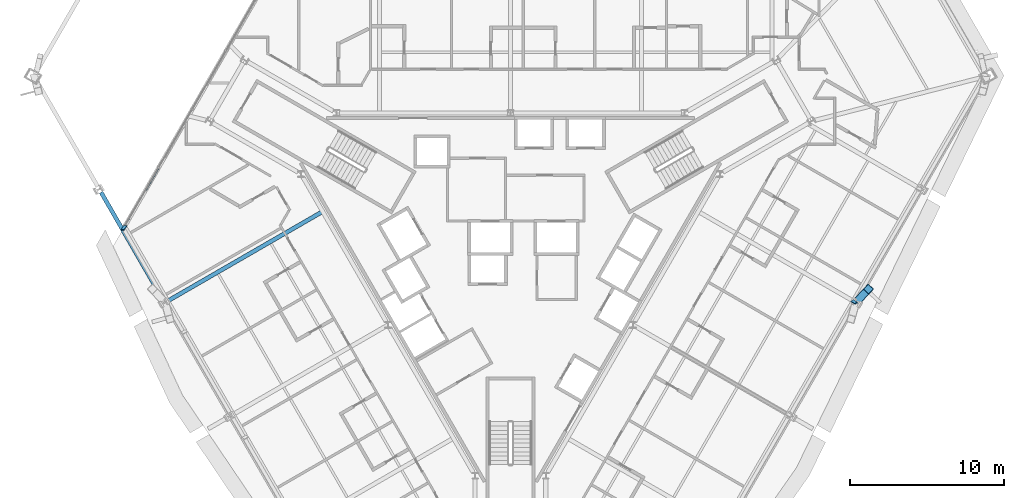
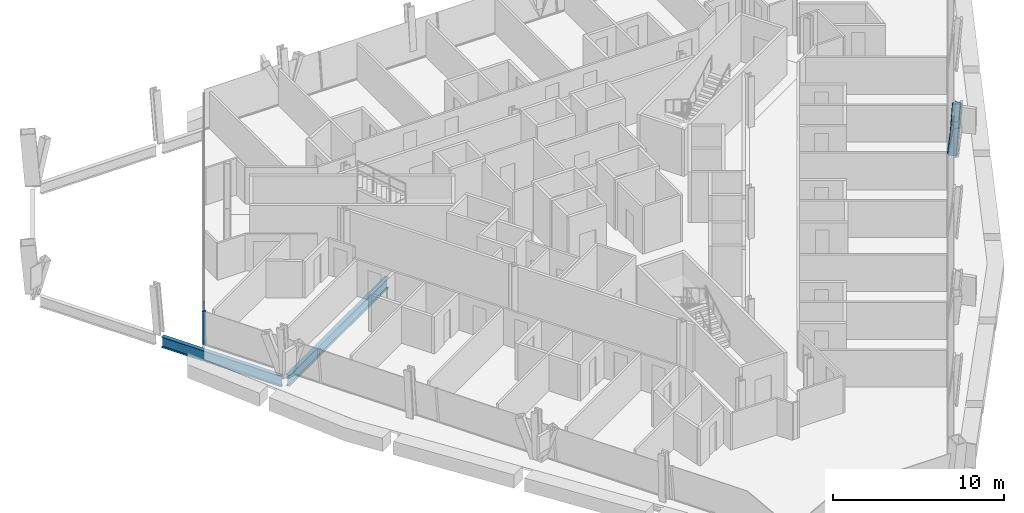
# One storey, part 4 of 17: 4 members, 2 beams, 3 elements without a shape of their own.
"""IFC4 building model written with IfcOpenShell, lengths in metres."""

from ifc_helpers import new_model, si_unit, direction, frame, origin, origin_2d, place, context, subcontext, project, spatial, rectangle, hollow_rectangle, i_section, extrude, material, material_profile, profile_set, type_object, element, aggregate, save


model = new_model("IFC4")

# Units and contexts
model_context = context("Model", 3, precision=1e-05, world=origin(), true_north=direction((0.0, 1.0)))
body_context = subcontext(model_context, "Body", "Model", "MODEL_VIEW")
ifc_project = project(units=[si_unit("LENGTHUNIT", "METRE"), si_unit("AREAUNIT", "SQUARE_METRE"), si_unit("VOLUMEUNIT", "CUBIC_METRE"), si_unit("PLANEANGLEUNIT", "RADIAN"), si_unit("MASSUNIT", "GRAM", prefix="KILO")], contexts=[model_context])

# Site, building, storey
site_placement = place(None, origin())
site = spatial("IfcSite", under=ifc_project, at=site_placement, CompositionType="ELEMENT")
building_placement = place(site_placement, origin())
building = spatial("IfcBuilding", under=site, at=building_placement, Name="Verrane Prism Tower", CompositionType="ELEMENT")
storey_placement = place(building_placement, frame((0.0, 0.0, 62.0)))
storey = spatial("IfcBuildingStorey", under=building, at=storey_placement, Name="L13", CompositionType="ELEMENT", Elevation=62.0)

# Member
ifc_material_1 = material(Name="Steel A1085 Grade A", Category="steel")
ifc_material_profile_1 = material_profile(ifc_material_1, hollow_rectangle(XDim=0.508056640625, YDim=0.508056640625, WallThickness=0.025390625, InnerFilletRadius=0.0126953125, OuterFilletRadius=0.0380859375, at=origin_2d()), Name="HSS20x20x1")
ifc_profile_set_1 = profile_set([ifc_material_profile_1], Name="Steel A1085 Grade A")
member_type_1 = type_object("IfcMemberType", Name="Facade brace HSS20x20x1", PredefinedType="BRACE", material=ifc_profile_set_1)
member_1_placement = place(storey_placement, frame((22.56982421875, -3.055908203125, -0.197509765625), z_axis=(0.232509102274, 0.248391929987, 0.940340877808), x_axis=(-0.730062490855, 0.683380391471, 0.0)))
element("IfcMember", 1, at=member_1_placement, inside=storey, type_object=member_type_1, Name="Facade brace SE4 L13", PredefinedType="BRACE", context=body_context, shape_type="SweptSolid", body=[
    extrude(hollow_rectangle(XDim=0.508056640625, YDim=0.508056640625, WallThickness=0.025390625, InnerFilletRadius=0.0126953125, OuterFilletRadius=0.0380859375, at=origin_2d()), origin(), (0.0, 0.0, 1.0), 3.151123046875),
])

# Curtain wall, member
ifc_material_2 = material(Name="Aluminium framed insulated glazing", Category="aluminium")
curtain_wall_type_1 = type_object("IfcCurtainWallType", Name="Curtain wall CW-A 8400 module", PredefinedType="NOTDEFINED", material=ifc_material_2)
curtain_wall_1_placement = place(storey_placement, origin())
curtain_wall_1 = element("IfcCurtainWall", 2, at=curtain_wall_1_placement, inside=storey, type_object=curtain_wall_type_1, Name="Glazed curtain wall south-west face L13", PredefinedType="NOTDEFINED")
ifc_material_3 = material(Name="Aluminium alloy 6063-T6", Category="aluminium")
ifc_material_profile_2 = material_profile(ifc_material_3, rectangle(XDim=0.199951171875, YDim=0.070068359375, at=origin_2d()), Name="Mullion 70x200 aluminium")
ifc_profile_set_2 = profile_set([ifc_material_profile_2], Name="Aluminium alloy 6063-T6")
member_type_2 = type_object("IfcMemberType", Name="Mullion 70x200 aluminium", PredefinedType="MULLION", material=ifc_profile_set_2)
member_2_placement = place(storey_placement, frame((-25.069091796875, 1.839111328125, 0.0), z_axis=(-0.072493493581, -0.102343755643, 0.992104051534), x_axis=(0.993424568406, -0.095787496883, 0.062708710142)))
member_2 = element("IfcMember", 3, at=member_2_placement, type_object=member_type_2, Name="CW12.4 mullion 1", PredefinedType="MULLION", context=body_context, shape_type="SweptSolid", body=[
    extrude(rectangle(XDim=0.199951171875, YDim=0.070068359375, at=origin_2d()), origin(), (0.0, 0.0, 1.0), 2.633544921875),
])
aggregate(curtain_wall_1, [member_2])

curtain_wall_2_placement = place(storey_placement, origin())
curtain_wall_2 = element("IfcCurtainWall", 4, at=curtain_wall_2_placement, inside=storey, type_object=curtain_wall_type_1, Name="Glazed curtain wall south-east face L13", PredefinedType="NOTDEFINED")
member_3_placement = place(storey_placement, frame((22.25146484375, -3.04150390625, 0.0), z_axis=(0.098772084644, -0.056998176665, 0.993476362654), x_axis=(-0.863093944803, -0.501814377816, 0.057019055251)))
member_3 = element("IfcMember", 5, at=member_3_placement, type_object=member_type_2, Name="CW12.6 mullion 5", PredefinedType="MULLION", context=body_context, shape_type="SweptSolid", body=[
    extrude(rectangle(XDim=0.199951171875, YDim=0.070068359375, at=origin_2d()), origin(), (0.0, 0.0, 1.0), 2.6298828125),
])
aggregate(curtain_wall_2, [member_3])

# Beams
ifc_material_4 = material(Name="Steel A992", Category="steel")
ifc_material_profile_3 = material_profile(ifc_material_4, i_section(OverallWidth=0.2666015625, OverallDepth=0.76708984375, WebThickness=0.014892578125, FlangeThickness=0.023681640625, FilletRadius=0.0166015625, at=origin_2d()), Name="W30x124")
ifc_profile_set_3 = profile_set([ifc_material_profile_3], Name="Steel A992")
beam_type_1 = type_object("IfcBeamType", Name="Radial girder W30x124", PredefinedType="BEAM", material=ifc_profile_set_3)
beam_1_placement = place(storey_placement, frame((-22.280029296875, -3.02734375, -0.603515625), z_axis=(0.866023488761, 0.500003316903, 0.0), x_axis=(-0.500003316903, 0.866023488761, 0.0)))
element("IfcBeam", 6, at=beam_1_placement, inside=storey, type_object=beam_type_1, Name="Radial girder L13", PredefinedType="BEAM", context=body_context, shape_type="SweptSolid", body=[
    extrude(i_section(OverallWidth=0.2666015625, OverallDepth=0.76708984375, WebThickness=0.014892578125, FlangeThickness=0.023681640625, FilletRadius=0.0166015625, at=origin_2d()), origin(), (0.0, 0.0, 1.0), 11.61279296875),
])
ifc_material_5 = material(Name="Steel A992", Category="steel")
ifc_material_profile_4 = material_profile(ifc_material_5, i_section(OverallWidth=0.2666015625, OverallDepth=0.7568359375, WebThickness=0.013916015625, FlangeThickness=0.019287109375, FilletRadius=0.0166015625, at=origin_2d()), Name="W30x108")
ifc_profile_set_4 = profile_set([ifc_material_profile_4], Name="Steel A992")
beam_type_2 = type_object("IfcBeamType", Name="Spandrel beam W30x108", PredefinedType="SPANDREL", material=ifc_profile_set_4)
beam_2_placement = place(storey_placement, frame((-26.649658203125, 4.028564453125, -0.53857421875), z_axis=(0.499027753089, -0.866586003607, 0.0), x_axis=(0.866586003607, 0.499027753089, 0.0)))
element("IfcBeam", 7, at=beam_2_placement, inside=storey, type_object=beam_type_2, Name="Spandrel beam L13", PredefinedType="SPANDREL", context=body_context, shape_type="SweptSolid", body=[
    extrude(i_section(OverallWidth=0.2666015625, OverallDepth=0.7568359375, WebThickness=0.013916015625, FlangeThickness=0.019287109375, FilletRadius=0.0166015625, at=origin_2d()), origin(), (0.0, 0.0, 1.0), 8.07421875),
])

# Curtain wall, member
ifc_material_6 = material(Name="Aluminium framed insulated glazing", Category="aluminium")
curtain_wall_type_2 = type_object("IfcCurtainWallType", Name="Curtain wall CW-C 4200 module", PredefinedType="NOTDEFINED", material=ifc_material_6)
curtain_wall_3_placement = place(storey_placement, origin())
curtain_wall_3 = element("IfcCurtainWall", 8, at=curtain_wall_3_placement, inside=storey, type_object=curtain_wall_type_2, Name="Glazed curtain wall garden cut line L13 1", PredefinedType="NOTDEFINED")
ifc_material_7 = material(Name="Aluminium alloy 6063-T6", Category="aluminium")
ifc_material_profile_5 = material_profile(ifc_material_7, rectangle(XDim=0.10009765625, YDim=0.050048828125, at=origin_2d()), Name="Transom 50x100 aluminium")
ifc_profile_set_5 = profile_set([ifc_material_profile_5], Name="Aluminium alloy 6063-T6")
member_type_3 = type_object("IfcMemberType", Name="Transom 50x100 aluminium", PredefinedType="USERDEFINED", material=ifc_profile_set_5)
member_4_placement = place(storey_placement, frame((-22.914306640625, 5.632080078125, 0.02490234375), z_axis=(-0.499994843742, -0.866028380731, 0.0), x_axis=(0.866028380731, -0.499994843742, 0.0)))
member_4 = element("IfcMember", 9, at=member_4_placement, type_object=member_type_3, Name="CW12.3.1 transom 5", ObjectType="TRANSOM", PredefinedType="USERDEFINED", context=body_context, shape_type="SweptSolid", body=[
    extrude(rectangle(XDim=0.10009765625, YDim=0.050048828125, at=origin_2d()), origin(), (0.0, 0.0, 1.0), 4.3447265625),
])
aggregate(curtain_wall_3, [member_4])

save(model, "model.ifc")
